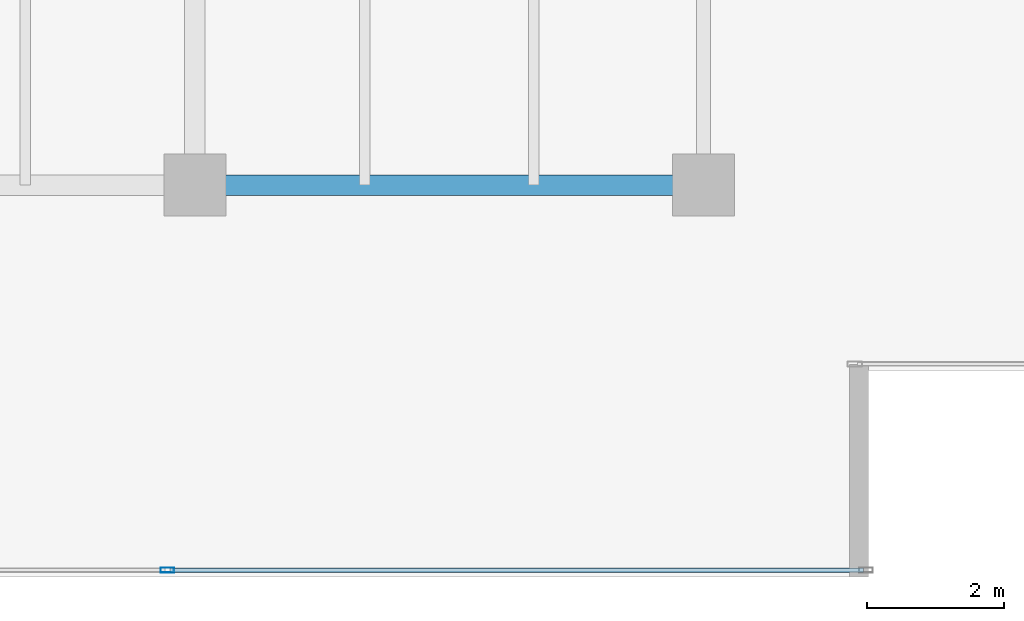
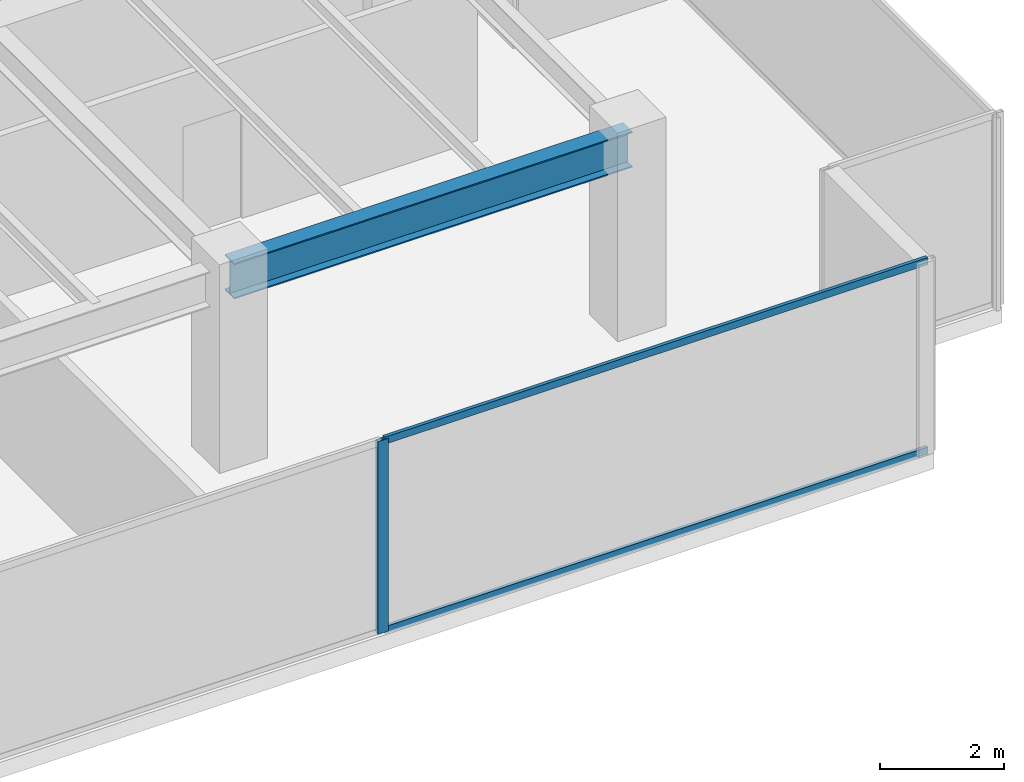
# One storey, part 12 of 30: 3 members, 1 beam, 1 element without a shape of its own.
"""IFC4 building model written with IfcOpenShell, lengths in metres."""

from ifc_helpers import new_model, si_unit, direction, frame, origin, origin_2d, place, context, subcontext, project, spatial, hollow_rectangle, i_section, extrude, source, transform, mapped, material, layer, layer_set, material_profile, profile_set, type_object, type_shapes, element, aggregate, save


model = new_model("IFC4")

# Units and contexts
model_context = context("Model", 3, precision=1e-05, world=origin(), true_north=direction((0.0, 1.0)))
body_context = subcontext(model_context, "Body", "Model", "MODEL_VIEW")
ifc_project = project(units=[si_unit("LENGTHUNIT", "METRE"), si_unit("AREAUNIT", "SQUARE_METRE"), si_unit("VOLUMEUNIT", "CUBIC_METRE"), si_unit("PLANEANGLEUNIT", "RADIAN"), si_unit("MASSUNIT", "GRAM", prefix="KILO")], contexts=[model_context])

# Site, building, storey
site_placement = place(None, origin())
site = spatial("IfcSite", under=ifc_project, at=site_placement, CompositionType="ELEMENT")
building_placement = place(site_placement, origin())
building = spatial("IfcBuilding", under=site, at=building_placement, Name="Haelvirn Gate Laboratories", CompositionType="ELEMENT")
storey_placement = place(building_placement, frame((0.0, 0.0, 170.699951171875)))
storey = spatial("IfcBuildingStorey", under=building, at=storey_placement, Name="L41", CompositionType="ELEMENT", Elevation=170.699951171875)

# Beam
ifc_material_1 = material(Name="Steel SM355", Category="steel")
ifc_material_profile_1 = material_profile(ifc_material_1, i_section(OverallWidth=0.300048828125, OverallDepth=0.699951171875, WebThickness=0.012939453125, FlangeThickness=0.02392578125, at=origin_2d()), Name="H-700x300x13x24")
ifc_profile_set_1 = profile_set([ifc_material_profile_1], Name="Steel SM355")
beam_type = type_object("IfcBeamType", Name="BM-G-700", PredefinedType="BEAM", material=ifc_profile_set_1)
shared_shape_1 = source(origin(), body_context, "Body", "SweptSolid", [
    extrude(i_section(OverallWidth=0.300048828125, OverallDepth=0.699951171875, WebThickness=0.012939453125, FlangeThickness=0.02392578125, at=origin_2d()), origin(), (0.0, 0.0, 1.0), 7.39990234375),
])
type_shapes(beam_type, [shared_shape_1])
beam_placement = place(storey_placement, frame((60.0, 7.0, 3.43994140625), z_axis=(1.0, 0.0, 0.0), x_axis=(0.0, 1.0, 0.0)))
element("IfcBeam", 1, at=beam_placement, inside=storey, type_object=beam_type, Name="L41 Primary Girder Y7.0 (60.0-67.4)", PredefinedType="BEAM", context=body_context, shape_type="MappedRepresentation", body=[
    mapped(shared_shape_1, transform((0.0, 0.0, 0.0), scale=1.0)),
])

# Curtain wall, members
ifc_material_2 = material(Name="Anodised bronze unitised aluminium & triple low-E glass", Category="aluminium")
ifc_layer = layer(ifc_material_2, 0.179931640625, Name="CW-SYS-3")
ifc_layer_set = layer_set([ifc_layer], Name="Anodised bronze unitised aluminium & triple low-E glass")
curtain_wall_type = type_object("IfcCurtainWallType", Name="CW-SYS-3", PredefinedType="NOTDEFINED", material=ifc_layer_set)
curtain_wall_placement = place(storey_placement, origin())
curtain_wall = element("IfcCurtainWall", 2, at=curtain_wall_placement, inside=storey, type_object=curtain_wall_type, Name="L41 Unitised Curtain Wall CW-L41-P0-E04-1", PredefinedType="NOTDEFINED")
ifc_material_3 = material(Name="Extruded aluminium 6063-T6 (anodised bronze)", Category="aluminium")
ifc_material_profile_2 = material_profile(ifc_material_3, hollow_rectangle(XDim=0.06494140625, YDim=0.139892578125, WallThickness=0.00390625, at=origin_2d()), Name="CWT-140x65x4")
ifc_profile_set_2 = profile_set([ifc_material_profile_2], Name="Extruded aluminium 6063-T6 (anodised bronze)")
member_type_1 = type_object("IfcMemberType", Name="CWT-T140", PredefinedType="USERDEFINED", material=ifc_profile_set_2)
shared_shape_2 = source(origin(), body_context, "Body", "SweptSolid", [
    extrude(hollow_rectangle(XDim=0.06494140625, YDim=0.139892578125, WallThickness=0.00390625, at=origin_2d()), origin(), (0.0, 0.0, 1.0), 10.087646484375),
])
type_shapes(member_type_1, [shared_shape_2])
member_1_placement = place(storey_placement, frame((59.637451171875, 1.39990234375, 0.032470703125), z_axis=(1.0, 0.0, 0.0), x_axis=(0.0, 1.0, 0.0)))
member_1 = element("IfcMember", 3, at=member_1_placement, type_object=member_type_1, Name="CW3 transom 2.1", ObjectType="TRANSOM", PredefinedType="USERDEFINED", context=body_context, shape_type="MappedRepresentation", body=[
    mapped(shared_shape_2, transform((0.0, 0.0, 0.0), scale=1.0)),
])
member_2_placement = place(storey_placement, frame((59.637451171875, 1.39990234375, 3.757568359375), z_axis=(1.0, 0.0, 0.0), x_axis=(0.0, 1.0, 0.0)))
member_2 = element("IfcMember", 4, at=member_2_placement, type_object=member_type_1, Name="CW3 transom 2.2", ObjectType="TRANSOM", PredefinedType="USERDEFINED", context=body_context, shape_type="MappedRepresentation", body=[
    mapped(shared_shape_2, transform((0.0, 0.0, 0.0), scale=1.0)),
])
ifc_material_profile_3 = material_profile(ifc_material_3, hollow_rectangle(XDim=0.074951171875, YDim=0.199951171875, WallThickness=0.0048828125, at=origin_2d()), Name="CWM-200x75x5")
ifc_profile_set_3 = profile_set([ifc_material_profile_3], Name="Extruded aluminium 6063-T6 (anodised bronze)")
member_type_2 = type_object("IfcMemberType", Name="CWM-T200", PredefinedType="MULLION", material=ifc_profile_set_3)
shared_shape_3 = source(origin(), body_context, "Body", "SweptSolid", [
    extrude(hollow_rectangle(XDim=0.074951171875, YDim=0.199951171875, WallThickness=0.0048828125, at=origin_2d()), origin(), (0.0, 0.0, 1.0), 3.7900390625),
])
type_shapes(member_type_2, [shared_shape_3])
member_3_placement = place(storey_placement, frame((59.60009765625, 1.39990234375, 0.0), z_axis=(0.0, 0.0, 1.0), x_axis=(0.0, 1.0, 0.0)))
member_3 = element("IfcMember", 5, at=member_3_placement, type_object=member_type_2, Name="CW3 mullion 2", PredefinedType="MULLION", context=body_context, shape_type="MappedRepresentation", body=[
    mapped(shared_shape_3, transform((0.0, 0.0, 0.0), scale=1.0)),
])
aggregate(curtain_wall, [member_3, member_1, member_2])

save(model, "model.ifc")
